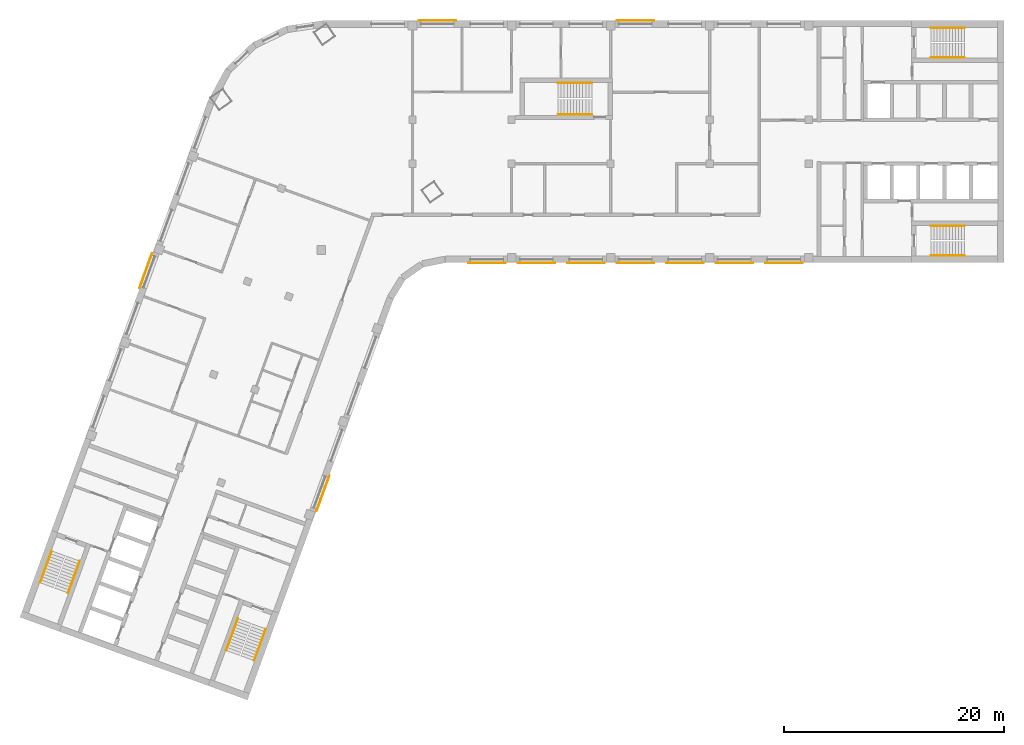
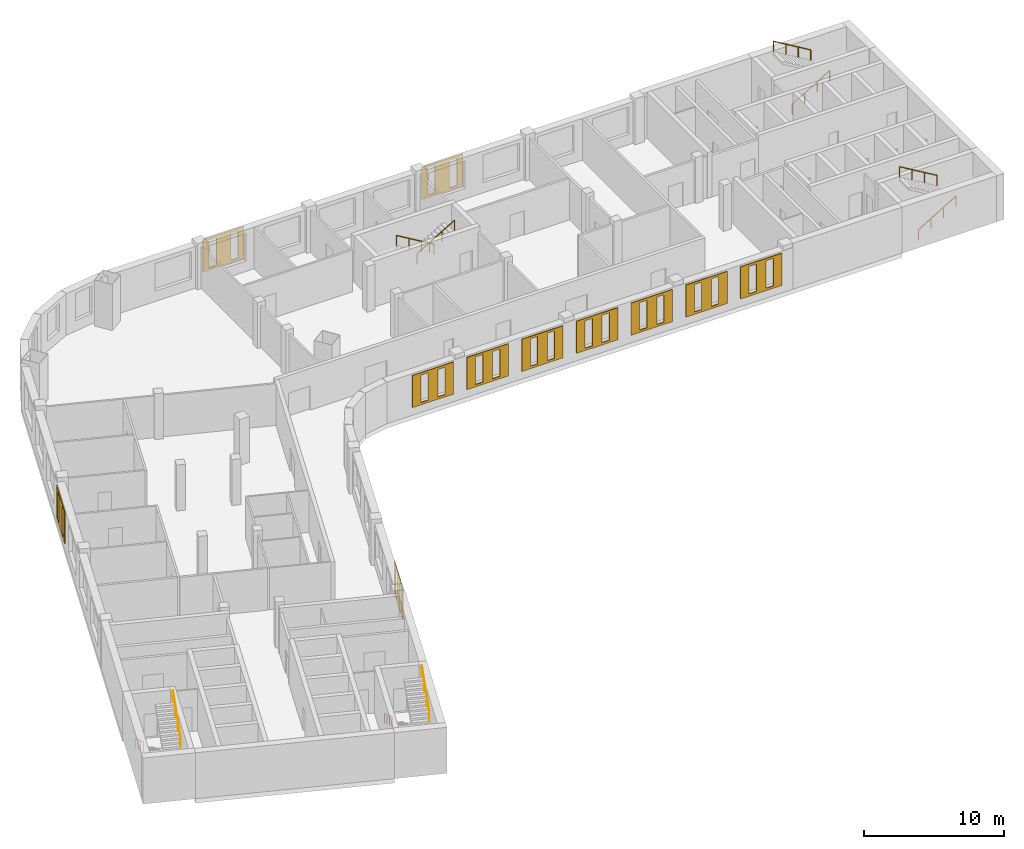
# One storey, part 8 of 8: 11 coverings, 10 railings.
"""IFC4 building model written with IfcOpenShell, lengths in metres."""

from ifc_helpers import new_model, si_unit, direction, frame, origin, origin_2d, place, context, subcontext, project, spatial, polyline, circle, outline, extrude, material, material_profile, profile_set, type_object, element, save


model = new_model("IFC4")

# Units and contexts
model_context = context("Model", 3, precision=1e-05, world=origin(), true_north=direction((0.0, 1.0)))
body_context = subcontext(model_context, "Body", "Model", "MODEL_VIEW")
ifc_project = project(units=[si_unit("LENGTHUNIT", "METRE"), si_unit("AREAUNIT", "SQUARE_METRE"), si_unit("VOLUMEUNIT", "CUBIC_METRE"), si_unit("PLANEANGLEUNIT", "RADIAN"), si_unit("MASSUNIT", "GRAM", prefix="KILO")], contexts=[model_context])

# Site, building, storey
site_placement = place(None, origin())
site = spatial("IfcSite", under=ifc_project, at=site_placement, CompositionType="ELEMENT")
building_placement = place(site_placement, origin())
building = spatial("IfcBuilding", under=site, at=building_placement, Name="Skarvind Civic Tower", CompositionType="ELEMENT")
storey_placement = place(building_placement, frame((0.0, 0.0, 138.5)))
storey = spatial("IfcBuildingStorey", under=building, at=storey_placement, Name="L32", CompositionType="ELEMENT", Elevation=138.5)

# Railings
ifc_material_1 = material(Name="Painted steel handrail", Category="steel")
railing_type = type_object("IfcRailingType", Name="Stair handrail 900", PredefinedType="HANDRAIL", material=ifc_material_1)
railing_1_placement = place(storey_placement, frame((101.35009765625, 135.64990234375, 0.166748046875)))
element("IfcRailing", 1, at=railing_1_placement, inside=storey, type_object=railing_type, Name="Stair handrail", PredefinedType="HANDRAIL", context=body_context, shape_type="SweptSolid", body=[
    extrude(circle(Radius=0.02392578125, at=origin_2d()), frame((0.0, 0.0, 0.8759765625), z_axis=(0.859290745958, 0.0, 0.51148745235), x_axis=(0.0, 1.0, 0.0)), (0.0, 0.0, 1.0), 3.584228515625),
    extrude(circle(Radius=0.02099609375, at=origin_2d()), origin(), (0.0, 0.0, 1.0), 0.851806640625),
    extrude(circle(Radius=0.02099609375, at=origin_2d()), frame((1.026611328125, 0.0, 0.611083984375)), (0.0, 0.0, 1.0), 0.851806640625),
    extrude(circle(Radius=0.02099609375, at=origin_2d()), frame((2.05322265625, 0.0, 1.22216796875)), (0.0, 0.0, 1.0), 0.851806640625),
    extrude(circle(Radius=0.02099609375, at=origin_2d()), frame((3.079833984375, 0.0, 1.833251953125)), (0.0, 0.0, 1.0), 0.851806640625),
])
railing_2_placement = place(storey_placement, frame((104.429931640625, 138.35009765625, 2.166748046875)))
element("IfcRailing", 2, at=railing_2_placement, inside=storey, type_object=railing_type, Name="Stair handrail", PredefinedType="HANDRAIL", context=body_context, shape_type="SweptSolid", body=[
    extrude(circle(Radius=0.02392578125, at=origin_2d()), frame((0.0, 0.0, 0.8759765625), z_axis=(-0.859290745958, 0.0, 0.51148745235), x_axis=(0.0, -1.0, 0.0)), (0.0, 0.0, 1.0), 3.584228515625),
    extrude(circle(Radius=0.02099609375, at=origin_2d()), origin(), (0.0, 0.0, 1.0), 0.851806640625),
    extrude(circle(Radius=0.02099609375, at=origin_2d()), frame((-1.026611328125, 0.0, 0.611083984375)), (0.0, 0.0, 1.0), 0.851806640625),
    extrude(circle(Radius=0.02099609375, at=origin_2d()), frame((-2.05322265625, 0.0, 1.22216796875)), (0.0, 0.0, 1.0), 0.851806640625),
    extrude(circle(Radius=0.02099609375, at=origin_2d()), frame((-3.079833984375, 0.0, 1.833251953125)), (0.0, 0.0, 1.0), 0.851806640625),
])
railing_3_placement = place(storey_placement, frame((101.35009765625, 117.64990234375, 0.166748046875)))
element("IfcRailing", 3, at=railing_3_placement, inside=storey, type_object=railing_type, Name="Stair handrail", PredefinedType="HANDRAIL", context=body_context, shape_type="SweptSolid", body=[
    extrude(circle(Radius=0.02392578125, at=origin_2d()), frame((0.0, 0.0, 0.8759765625), z_axis=(0.859290745958, 0.0, 0.51148745235), x_axis=(0.0, 1.0, 0.0)), (0.0, 0.0, 1.0), 3.584228515625),
    extrude(circle(Radius=0.02099609375, at=origin_2d()), origin(), (0.0, 0.0, 1.0), 0.851806640625),
    extrude(circle(Radius=0.02099609375, at=origin_2d()), frame((1.026611328125, 0.0, 0.611083984375)), (0.0, 0.0, 1.0), 0.851806640625),
    extrude(circle(Radius=0.02099609375, at=origin_2d()), frame((2.05322265625, 0.0, 1.22216796875)), (0.0, 0.0, 1.0), 0.851806640625),
    extrude(circle(Radius=0.02099609375, at=origin_2d()), frame((3.079833984375, 0.0, 1.833251953125)), (0.0, 0.0, 1.0), 0.851806640625),
])
railing_4_placement = place(storey_placement, frame((104.429931640625, 120.35009765625, 2.166748046875)))
element("IfcRailing", 4, at=railing_4_placement, inside=storey, type_object=railing_type, Name="Stair handrail", PredefinedType="HANDRAIL", context=body_context, shape_type="SweptSolid", body=[
    extrude(circle(Radius=0.02392578125, at=origin_2d()), frame((0.0, 0.0, 0.8759765625), z_axis=(-0.859290745958, 0.0, 0.51148745235), x_axis=(0.0, -1.0, 0.0)), (0.0, 0.0, 1.0), 3.584228515625),
    extrude(circle(Radius=0.02099609375, at=origin_2d()), origin(), (0.0, 0.0, 1.0), 0.851806640625),
    extrude(circle(Radius=0.02099609375, at=origin_2d()), frame((-1.026611328125, 0.0, 0.611083984375)), (0.0, 0.0, 1.0), 0.851806640625),
    extrude(circle(Radius=0.02099609375, at=origin_2d()), frame((-2.05322265625, 0.0, 1.22216796875)), (0.0, 0.0, 1.0), 0.851806640625),
    extrude(circle(Radius=0.02099609375, at=origin_2d()), frame((-3.079833984375, 0.0, 1.833251953125)), (0.0, 0.0, 1.0), 0.851806640625),
])
railing_5_placement = place(storey_placement, frame((38.362060546875, 84.64794921875, 0.166748046875)))
element("IfcRailing", 5, at=railing_5_placement, inside=storey, type_object=railing_type, Name="Stair handrail", PredefinedType="HANDRAIL", context=body_context, shape_type="SweptSolid", body=[
    extrude(circle(Radius=0.02392578125, at=origin_2d()), frame((0.0, 0.0, 0.8759765625), z_axis=(-0.293908055923, -0.807480881337, 0.511461319103), x_axis=(0.939689235759, -0.342029443467, 0.0)), (0.0, 0.0, 1.0), 3.584228515625),
    extrude(circle(Radius=0.02099609375, at=origin_2d()), origin(), (0.0, 0.0, 1.0), 0.851806640625),
    extrude(circle(Radius=0.02099609375, at=origin_2d()), frame((-0.35107421875, -0.96484375, 0.611083984375)), (0.0, 0.0, 1.0), 0.851806640625),
    extrude(circle(Radius=0.02099609375, at=origin_2d()), frame((-0.702392578125, -1.929443359375, 1.22216796875)), (0.0, 0.0, 1.0), 0.851806640625),
    extrude(circle(Radius=0.02099609375, at=origin_2d()), frame((-1.053466796875, -2.894287109375, 1.833251953125)), (0.0, 0.0, 1.0), 0.851806640625),
])
railing_6_placement = place(storey_placement, frame((39.845703125, 80.830078125, 2.166748046875)))
element("IfcRailing", 6, at=railing_6_placement, inside=storey, type_object=railing_type, Name="Stair handrail", PredefinedType="HANDRAIL", context=body_context, shape_type="SweptSolid", body=[
    extrude(circle(Radius=0.02392578125, at=origin_2d()), frame((0.0, 0.0, 0.8759765625), z_axis=(0.293908055923, 0.807480881337, 0.511461319103), x_axis=(-0.939689235759, 0.342029443467, 0.0)), (0.0, 0.0, 1.0), 3.584228515625),
    extrude(circle(Radius=0.02099609375, at=origin_2d()), origin(), (0.0, 0.0, 1.0), 0.851806640625),
    extrude(circle(Radius=0.02099609375, at=origin_2d()), frame((0.35107421875, 0.96484375, 0.611083984375)), (0.0, 0.0, 1.0), 0.851806640625),
    extrude(circle(Radius=0.02099609375, at=origin_2d()), frame((0.702392578125, 1.929443359375, 1.22216796875)), (0.0, 0.0, 1.0), 0.851806640625),
    extrude(circle(Radius=0.02099609375, at=origin_2d()), frame((1.053466796875, 2.894287109375, 1.833251953125)), (0.0, 0.0, 1.0), 0.851806640625),
])
railing_7_placement = place(storey_placement, frame((21.447509765625, 90.80419921875, 0.166748046875)))
element("IfcRailing", 7, at=railing_7_placement, inside=storey, type_object=railing_type, Name="Stair handrail", PredefinedType="HANDRAIL", context=body_context, shape_type="SweptSolid", body=[
    extrude(circle(Radius=0.02392578125, at=origin_2d()), frame((0.0, 0.0, 0.8759765625), z_axis=(-0.293845824691, -0.807497044902, 0.511471557163), x_axis=(0.939714709796, -0.34195944817, 0.0)), (0.0, 0.0, 1.0), 3.584228515625),
    extrude(circle(Radius=0.02099609375, at=origin_2d()), origin(), (0.0, 0.0, 1.0), 0.851806640625),
    extrude(circle(Radius=0.02099609375, at=origin_2d()), frame((-0.35107421875, -0.96484375, 0.611083984375)), (0.0, 0.0, 1.0), 0.851806640625),
    extrude(circle(Radius=0.02099609375, at=origin_2d()), frame((-0.7021484375, -1.929443359375, 1.22216796875)), (0.0, 0.0, 1.0), 0.851806640625),
    extrude(circle(Radius=0.02099609375, at=origin_2d()), frame((-1.05322265625, -2.894287109375, 1.833251953125)), (0.0, 0.0, 1.0), 0.851806640625),
])
railing_8_placement = place(storey_placement, frame((22.931396484375, 86.986572265625, 2.166748046875)))
element("IfcRailing", 8, at=railing_8_placement, inside=storey, type_object=railing_type, Name="Stair handrail", PredefinedType="HANDRAIL", context=body_context, shape_type="SweptSolid", body=[
    extrude(circle(Radius=0.02392578125, at=origin_2d()), frame((0.0, 0.0, 0.8759765625), z_axis=(0.293908055923, 0.807480881337, 0.511461319103), x_axis=(-0.939689235759, 0.342029443467, 0.0)), (0.0, 0.0, 1.0), 3.584228515625),
    extrude(circle(Radius=0.02099609375, at=origin_2d()), origin(), (0.0, 0.0, 1.0), 0.851806640625),
    extrude(circle(Radius=0.02099609375, at=origin_2d()), frame((0.35107421875, 0.96484375, 0.611083984375)), (0.0, 0.0, 1.0), 0.851806640625),
    extrude(circle(Radius=0.02099609375, at=origin_2d()), frame((0.702392578125, 1.929443359375, 1.22216796875)), (0.0, 0.0, 1.0), 0.851806640625),
    extrude(circle(Radius=0.02099609375, at=origin_2d()), frame((1.053466796875, 2.894287109375, 1.833251953125)), (0.0, 0.0, 1.0), 0.851806640625),
])
railing_9_placement = place(storey_placement, frame((70.550048828125, 133.35009765625, 0.166748046875)))
element("IfcRailing", 9, at=railing_9_placement, inside=storey, type_object=railing_type, Name="Stair handrail", PredefinedType="HANDRAIL", context=body_context, shape_type="SweptSolid", body=[
    extrude(circle(Radius=0.02392578125, at=origin_2d()), frame((0.0, 0.0, 0.8759765625), z_axis=(-0.859308565015, 0.0, 0.511457515432), x_axis=(0.0, -1.0, 0.0)), (0.0, 0.0, 1.0), 3.58447265625),
    extrude(circle(Radius=0.02099609375, at=origin_2d()), origin(), (0.0, 0.0, 1.0), 0.851806640625),
    extrude(circle(Radius=0.02099609375, at=origin_2d()), frame((-1.026611328125, 0.0, 0.611083984375)), (0.0, 0.0, 1.0), 0.851806640625),
    extrude(circle(Radius=0.02099609375, at=origin_2d()), frame((-2.053466796875, 0.0, 1.22216796875)), (0.0, 0.0, 1.0), 0.851806640625),
    extrude(circle(Radius=0.02099609375, at=origin_2d()), frame((-3.080078125, 0.0, 1.833251953125)), (0.0, 0.0, 1.0), 0.851806640625),
])
railing_10_placement = place(storey_placement, frame((67.469970703125, 130.449951171875, 2.166748046875)))
element("IfcRailing", 10, at=railing_10_placement, inside=storey, type_object=railing_type, Name="Stair handrail", PredefinedType="HANDRAIL", context=body_context, shape_type="SweptSolid", body=[
    extrude(circle(Radius=0.02392578125, at=origin_2d()), frame((0.0, 0.0, 0.8759765625), z_axis=(0.859308565015, 0.0, 0.511457515432), x_axis=(0.0, 1.0, 0.0)), (0.0, 0.0, 1.0), 3.58447265625),
    extrude(circle(Radius=0.02099609375, at=origin_2d()), origin(), (0.0, 0.0, 1.0), 0.851806640625),
    extrude(circle(Radius=0.02099609375, at=origin_2d()), frame((1.026611328125, 0.0, 0.611083984375)), (0.0, 0.0, 1.0), 0.851806640625),
    extrude(circle(Radius=0.02099609375, at=origin_2d()), frame((2.053466796875, 0.0, 1.22216796875)), (0.0, 0.0, 1.0), 0.851806640625),
    extrude(circle(Radius=0.02099609375, at=origin_2d()), frame((3.080078125, 0.0, 1.833251953125)), (0.0, 0.0, 1.0), 0.851806640625),
])

# Coverings
ifc_material_2 = material(Name="Terracotta", Category="masonry")
ifc_material_profile_1 = material_profile(ifc_material_2, outline(polyline([(-1.699951171875, -1.39990234375), (1.699951171875, -1.39990234375), (1.699951171875, 1.39990234375), (-1.699951171875, 1.39990234375), (-1.699951171875, -1.39990234375)]), holes=[polyline([(-1.0, -1.18994140625), (-0.39990234375, -1.18994140625), (-0.39990234375, 1.18994140625), (-1.0, 1.18994140625), (-1.0, -1.18994140625)]), polyline([(0.39990234375, -1.18994140625), (1.0, -1.18994140625), (1.0, 1.18994140625), (0.39990234375, 1.18994140625), (0.39990234375, -1.18994140625)])]), Name="TERRACOTTA SCREEN 3400 x 2800, SLIT PITCH 1400")
ifc_profile_set_1 = profile_set([ifc_material_profile_1], Name="Terracotta")
covering_type_1 = type_object("IfcCoveringType", Name="TERRACOTTA SCREEN 3400 x 2800, SLIT PITCH 1400", PredefinedType="CLADDING", material=ifc_profile_set_1)
for number, where, z_axis, x_axis, name in (
    (11, (88.0, 117.0, 2.10009765625), (0.0, -1.0, 0.0), (1.0, 0.0, 0.0), "TERRACOTTA SCREEN"),
    (12, (83.5, 117.0, 2.10009765625), (0.0, -1.0, 0.0), (1.0, 0.0, 0.0), "TERRACOTTA SCREEN"),
    (13, (79.0, 117.0, 2.10009765625), (0.0, -1.0, 0.0), (1.0, 0.0, 0.0), "TERRACOTTA SCREEN"),
    (14, (74.5, 117.0, 2.10009765625), (0.0, -1.0, 0.0), (1.0, 0.0, 0.0), "TERRACOTTA SCREEN"),
    (15, (70.0, 117.0, 2.10009765625), (0.0, -1.0, 0.0), (1.0, 0.0, 0.0), "TERRACOTTA SCREEN"),
    (16, (65.5, 117.0, 2.10009765625), (0.0, -1.0, 0.0), (1.0, 0.0, 0.0), "TERRACOTTA SCREEN"),
    (17, (61.0, 117.0, 2.10009765625), (0.0, -1.0, 0.0), (1.0, 0.0, 0.0), "TERRACOTTA SCREEN"),
):
    element("IfcCovering", number, at=place(storey_placement, frame(where, z_axis=z_axis, x_axis=x_axis)), inside=storey, type_object=covering_type_1, Name=name, PredefinedType="CLADDING", context=body_context, shape_type="SweptSolid", body=[
        extrude(outline(polyline([(-1.699951171875, -1.39990234375), (1.699951171875, -1.39990234375), (1.699951171875, 1.39990234375), (-1.699951171875, 1.39990234375), (-1.699951171875, -1.39990234375)]), holes=[polyline([(-1.0, -1.18994140625), (-0.39990234375, -1.18994140625), (-0.39990234375, 1.18994140625), (-1.0, 1.18994140625), (-1.0, -1.18994140625)]), polyline([(0.39990234375, -1.18994140625), (1.0, -1.18994140625), (1.0, 1.18994140625), (0.39990234375, 1.18994140625), (0.39990234375, -1.18994140625)])]), origin(), (0.0, 0.0, 1.0), 0.06005859375),
    ])
ifc_material_profile_2 = material_profile(ifc_material_2, outline(polyline([(-1.699951171875, -1.39990234375), (1.699951171875, -1.39990234375), (1.699951171875, 1.39990234375), (-1.699951171875, 1.39990234375), (-1.699951171875, -1.39990234375)]), holes=[polyline([(-1.199951171875, -1.18994140625), (-0.60009765625, -1.18994140625), (-0.60009765625, 1.18994140625), (-1.199951171875, 1.18994140625), (-1.199951171875, -1.18994140625)]), polyline([(0.60009765625, -1.18994140625), (1.199951171875, -1.18994140625), (1.199951171875, 1.18994140625), (0.60009765625, 1.18994140625), (0.60009765625, -1.18994140625)])]), Name="TERRACOTTA SCREEN 3400 x 2800, SLIT PITCH 1800")
ifc_profile_set_2 = profile_set([ifc_material_profile_2], Name="Terracotta")
covering_type_2 = type_object("IfcCoveringType", Name="TERRACOTTA SCREEN 3400 x 2800, SLIT PITCH 1800", PredefinedType="CLADDING", material=ifc_profile_set_2)
for number, where, z_axis, x_axis, name in (
    (18, (46.075927734375, 96.047119140625, 2.10009765625), (0.939793423488, -0.341743063087, 0.0), (0.341743063087, 0.939793423488, 0.0), "TERRACOTTA SCREEN"),
    (19, (56.5, 139.0, 2.10009765625), (0.0, 1.0, 0.0), (-1.0, 0.0, 0.0), "TERRACOTTA SCREEN"),
    (20, (74.5, 139.0, 2.10009765625), (0.0, 1.0, 0.0), (-1.0, 0.0, 0.0), "TERRACOTTA SCREEN"),
    (21, (30.02001953125, 116.25732421875, 2.10009765625), (-0.939793423488, 0.341743063087, 0.0), (-0.341743063087, -0.939793423488, 0.0), "TERRACOTTA SCREEN"),
):
    element("IfcCovering", number, at=place(storey_placement, frame(where, z_axis=z_axis, x_axis=x_axis)), inside=storey, type_object=covering_type_2, Name=name, PredefinedType="CLADDING", context=body_context, shape_type="SweptSolid", body=[
        extrude(outline(polyline([(-1.699951171875, -1.39990234375), (1.699951171875, -1.39990234375), (1.699951171875, 1.39990234375), (-1.699951171875, 1.39990234375), (-1.699951171875, -1.39990234375)]), holes=[polyline([(-1.199951171875, -1.18994140625), (-0.60009765625, -1.18994140625), (-0.60009765625, 1.18994140625), (-1.199951171875, 1.18994140625), (-1.199951171875, -1.18994140625)]), polyline([(0.60009765625, -1.18994140625), (1.199951171875, -1.18994140625), (1.199951171875, 1.18994140625), (0.60009765625, 1.18994140625), (0.60009765625, -1.18994140625)])]), origin(), (0.0, 0.0, 1.0), 0.06005859375),
    ])

save(model, "model.ifc")
